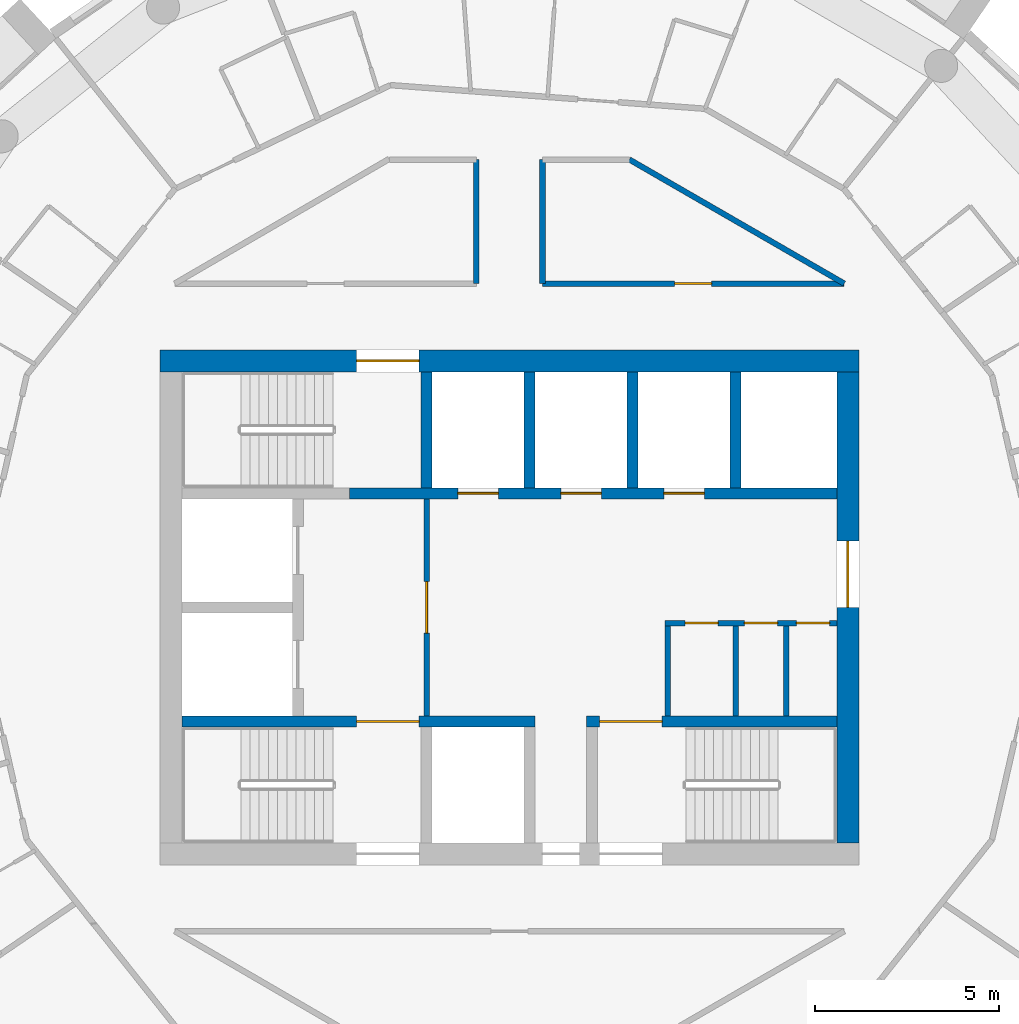
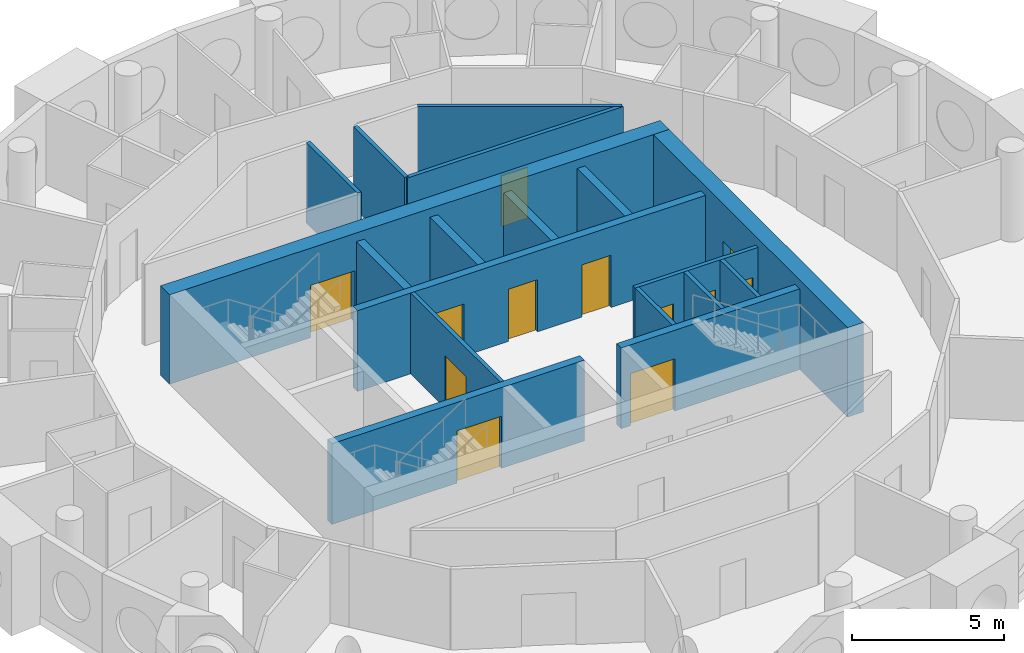
# One storey, part 7 of 12: 18 walls, 12 doors, 12 openings.
"""IFC4 building model written with IfcOpenShell, lengths in metres."""

from ifc_helpers import new_model, si_unit, direction, frame, frame_2d, origin, place, context, subcontext, project, spatial, rectangle, extrude, material, layer, layer_set, type_object, element, fill, save


model = new_model("IFC4")

# Units and contexts
model_context = context("Model", 3, precision=1e-05, world=origin(), true_north=direction((0.0, 1.0)))
body_context = subcontext(model_context, "Body", "Model", "MODEL_VIEW")
ifc_project = project(units=[si_unit("LENGTHUNIT", "METRE"), si_unit("AREAUNIT", "SQUARE_METRE"), si_unit("VOLUMEUNIT", "CUBIC_METRE"), si_unit("PLANEANGLEUNIT", "RADIAN"), si_unit("MASSUNIT", "GRAM", prefix="KILO")], contexts=[model_context])

# Site, building, storey
site_placement = place(None, origin())
site = spatial("IfcSite", under=ifc_project, at=site_placement, CompositionType="ELEMENT")
building_placement = place(site_placement, origin())
building = spatial("IfcBuilding", under=site, at=building_placement, Name="Tracery Tower", CompositionType="ELEMENT")
storey_placement = place(building_placement, frame((0.0, 0.0, 312.60009765625)))
storey = spatial("IfcBuildingStorey", under=building, at=storey_placement, Name="L81", CompositionType="ELEMENT", Elevation=312.60009765625)

# Wall, opening, door
ifc_material_1 = material(Name="Plasterboard on steel studs", Category="steel")
ifc_layer_1 = layer(ifc_material_1, 0.14990234375)
ifc_layer_set_1 = layer_set([ifc_layer_1], Name="Core lobby partition 150")
wall_type_1 = type_object("IfcWallType", Name="Core lobby partition 150", PredefinedType="SOLIDWALL", material=ifc_layer_set_1)
wall_1_placement = place(storey_placement, frame((-2.25, -2.949951171875, 0.0), z_axis=(0.0, 0.0, 1.0), x_axis=(0.0, 1.0, 0.0)))
wall_1 = element("IfcWall", 1, at=wall_1_placement, inside=storey, type_object=wall_type_1, Name="L81 FF lobby E", PredefinedType="SOLIDWALL", context=body_context, shape_type="SweptSolid", body=[
    extrude(rectangle(XDim=5.89990234375, YDim=0.14990234375, at=frame_2d((2.949951171875, 0.0))), origin(), (0.0, 0.0, 1.0), 3.25),
])
opening_1_placement = place(wall_1_placement, frame((2.25, 0.0, 0.0)))
opening_1 = element("IfcOpeningElement", 2, at=opening_1_placement, cuts=wall_1, Name="Opening KD8", PredefinedType="OPENING", context=body_context, shape_type="SweptSolid", body=[
    extrude(rectangle(XDim=1.39990234375, YDim=2.10009765625, at=frame_2d((0.699951171875, 1.050048828125))), frame((0.0, 0.074951171875, 0.0), z_axis=(0.0, -1.0, 0.0), x_axis=(1.0, 0.0, 0.0)), (0.0, 0.0, 1.0), 0.14990234375),
])
ifc_material_2 = material(Name="Steel fire door", Category="steel")
door_type_1 = type_object("IfcDoorType", Name="Core lobby door 1400 double", OperationType="NOTDEFINED", PredefinedType="DOOR", material=ifc_material_2)
door_1_placement = place(opening_1_placement, origin())
door_1 = element("IfcDoor", 3, at=door_1_placement, inside=storey, type_object=door_type_1, Name="Fire-fighting lobby door", OperationType="DOUBLE_DOOR_SINGLE_SWING", OverallHeight=2.10009765625, OverallWidth=1.39990234375, PredefinedType="DOOR", context=body_context, shape_type="SweptSolid", body=[
    extrude(rectangle(XDim=1.39990234375, YDim=2.10009765625, at=frame_2d((0.699951171875, 1.050048828125))), frame((0.0, 0.02490234375, 0.0), z_axis=(0.0, -1.0, 0.0), x_axis=(1.0, 0.0, 0.0)), (0.0, 0.0, 1.0), 0.050048828125),
])
fill(opening_1, door_1)

# Wall
ifc_material_3 = material(Name="Plasterboard on steel studs", Category="steel")
ifc_layer_2 = layer(ifc_material_3, 0.14990234375)
ifc_layer_set_2 = layer_set([ifc_layer_2], Name="Core room partition 150")
wall_type_2 = type_object("IfcWallType", Name="Core room partition 150", PredefinedType="SOLIDWALL", material=ifc_layer_set_2)
wall_2_placement = place(storey_placement, frame((4.300048828125, -2.949951171875, 0.0), z_axis=(0.0, 0.0, 1.0), x_axis=(0.0, 1.0, 0.0)))
element("IfcWall", 4, at=wall_2_placement, inside=storey, type_object=wall_type_2, Name="L81 slot W", PredefinedType="SOLIDWALL", context=body_context, shape_type="SweptSolid", body=[
    extrude(rectangle(XDim=2.449951171875, YDim=0.14990234375, at=frame_2d((1.22509765625, 0.0))), origin(), (0.0, 0.0, 1.0), 3.25),
])

# Wall, openings, doors
wall_3_placement = place(storey_placement, frame((4.22509765625, -0.425048828125, 0.0), z_axis=(0.0, 0.0, 1.0), x_axis=(1.0, 0.0, 0.0)))
wall_3 = element("IfcWall", 5, at=wall_3_placement, inside=storey, type_object=wall_type_2, Name="L81 slot N", PredefinedType="SOLIDWALL", context=body_context, shape_type="SweptSolid", body=[
    extrude(rectangle(XDim=4.6748046875, YDim=0.14990234375, at=frame_2d((2.33740234375, 0.0))), origin(), (0.0, 0.0, 1.0), 3.25),
])
opening_2_placement = place(wall_3_placement, frame((0.550048828125, 0.0, 0.0)))
opening_2 = element("IfcOpeningElement", 6, at=opening_2_placement, cuts=wall_3, Name="Opening KD22", PredefinedType="OPENING", context=body_context, shape_type="SweptSolid", body=[
    extrude(rectangle(XDim=0.89990234375, YDim=2.10009765625, at=frame_2d((0.449951171875, 1.050048828125))), frame((0.0, 0.074951171875, 0.0), z_axis=(0.0, -1.0, 0.0), x_axis=(1.0, 0.0, 0.0)), (0.0, 0.0, 1.0), 0.14990234375),
])
opening_3_placement = place(wall_3_placement, frame((2.16259765625, 0.0, 0.0)))
opening_3 = element("IfcOpeningElement", 7, at=opening_3_placement, cuts=wall_3, Name="Opening KD26", PredefinedType="OPENING", context=body_context, shape_type="SweptSolid", body=[
    extrude(rectangle(XDim=0.89990234375, YDim=2.10009765625, at=frame_2d((0.449951171875, 1.050048828125))), frame((0.0, 0.074951171875, 0.0), z_axis=(0.0, -1.0, 0.0), x_axis=(1.0, 0.0, 0.0)), (0.0, 0.0, 1.0), 0.14990234375),
])
opening_4_placement = place(wall_3_placement, frame((3.574951171875, 0.0, 0.0)))
opening_4 = element("IfcOpeningElement", 8, at=opening_4_placement, cuts=wall_3, Name="Opening KD27", PredefinedType="OPENING", context=body_context, shape_type="SweptSolid", body=[
    extrude(rectangle(XDim=0.89990234375, YDim=2.10009765625, at=frame_2d((0.449951171875, 1.050048828125))), frame((0.0, 0.074951171875, 0.0), z_axis=(0.0, -1.0, 0.0), x_axis=(1.0, 0.0, 0.0)), (0.0, 0.0, 1.0), 0.14990234375),
])
ifc_material_4 = material(Name="Timber door leaf", Category="wood")
door_type_2 = type_object("IfcDoorType", Name="Core WC door 900", OperationType="NOTDEFINED", PredefinedType="DOOR", material=ifc_material_4)
door_2_placement = place(opening_2_placement, origin())
door_2 = element("IfcDoor", 9, at=door_2_placement, inside=storey, type_object=door_type_2, Name="Core door", OperationType="SINGLE_SWING_RIGHT", OverallHeight=2.10009765625, OverallWidth=0.89990234375, PredefinedType="DOOR", context=body_context, shape_type="SweptSolid", body=[
    extrude(rectangle(XDim=0.89990234375, YDim=2.10009765625, at=frame_2d((0.449951171875, 1.050048828125))), frame((0.0, 0.02490234375, 0.0), z_axis=(0.0, -1.0, 0.0), x_axis=(1.0, 0.0, 0.0)), (0.0, 0.0, 1.0), 0.050048828125),
])
fill(opening_2, door_2)
ifc_material_5 = material(Name="Timber door leaf", Category="wood")
door_type_3 = type_object("IfcDoorType", Name="Core store door 900", OperationType="NOTDEFINED", PredefinedType="DOOR", material=ifc_material_5)
door_3_placement = place(opening_3_placement, origin())
door_3 = element("IfcDoor", 10, at=door_3_placement, inside=storey, type_object=door_type_3, Name="Core door", OperationType="SINGLE_SWING_LEFT", OverallHeight=2.10009765625, OverallWidth=0.89990234375, PredefinedType="DOOR", context=body_context, shape_type="SweptSolid", body=[
    extrude(rectangle(XDim=0.89990234375, YDim=2.10009765625, at=frame_2d((0.449951171875, 1.050048828125))), frame((0.0, 0.02490234375, 0.0), z_axis=(0.0, -1.0, 0.0), x_axis=(1.0, 0.0, 0.0)), (0.0, 0.0, 1.0), 0.050048828125),
])
fill(opening_3, door_3)
door_4_placement = place(opening_4_placement, origin())
door_4 = element("IfcDoor", 11, at=door_4_placement, inside=storey, type_object=door_type_3, Name="Core door", OperationType="SINGLE_SWING_RIGHT", OverallHeight=2.10009765625, OverallWidth=0.89990234375, PredefinedType="DOOR", context=body_context, shape_type="SweptSolid", body=[
    extrude(rectangle(XDim=0.89990234375, YDim=2.10009765625, at=frame_2d((0.449951171875, 1.050048828125))), frame((0.0, 0.02490234375, 0.0), z_axis=(0.0, -1.0, 0.0), x_axis=(1.0, 0.0, 0.0)), (0.0, 0.0, 1.0), 0.050048828125),
])
fill(opening_4, door_4)

# Walls
for number, where, z_axis, x_axis, name in (
    (12, (6.14990234375, -2.949951171875, 0.0), (0.0, 0.0, 1.0), (0.0, 1.0, 0.0), "L81 slot sep 1"),
    (13, (7.52490234375, -2.949951171875, 0.0), (0.0, 0.0, 1.0), (0.0, 1.0, 0.0), "L81 slot sep 2"),
):
    element("IfcWall", number, at=place(storey_placement, frame(where, z_axis=z_axis, x_axis=x_axis)), inside=storey, type_object=wall_type_2, Name=name, PredefinedType="SOLIDWALL", context=body_context, shape_type="SweptSolid", body=[
        extrude(rectangle(XDim=2.449951171875, YDim=0.14990234375, at=frame_2d((1.22509765625, 0.0))), origin(), (0.0, 0.0, 1.0), 3.25),
    ])

# Wall, opening, door
ifc_material_6 = material(Name="Concrete C40/50", Category="concrete")
ifc_layer_3 = layer(ifc_material_6, 0.60009765625)
ifc_layer_set_3 = layer_set([ifc_layer_3], Name="Core wall 600 C40")
wall_type_3 = type_object("IfcWallType", Name="Core wall 600 C40", PredefinedType="SOLIDWALL", material=ifc_layer_set_3)
wall_4_placement = place(storey_placement, frame((-9.5, 6.699951171875, 0.0), z_axis=(0.0, 0.0, 1.0), x_axis=(1.0, 0.0, 0.0)))
wall_4 = element("IfcWall", 14, at=wall_4_placement, inside=storey, type_object=wall_type_3, Name="L81 outer N", PredefinedType="SOLIDWALL", context=body_context, shape_type="SweptSolid", body=[
    extrude(rectangle(XDim=19.0, YDim=0.60009765625, at=frame_2d((9.5, 0.0))), origin(), (0.0, 0.0, 1.0), 3.599853515625),
])
opening_5_placement = place(wall_4_placement, frame((5.35009765625, 0.0, 0.0)))
opening_5 = element("IfcOpeningElement", 15, at=opening_5_placement, cuts=wall_4, Name="Opening KD3", PredefinedType="OPENING", context=body_context, shape_type="SweptSolid", body=[
    extrude(rectangle(XDim=1.699951171875, YDim=2.10009765625, at=frame_2d((0.85009765625, 1.050048828125))), frame((0.0, 0.300048828125, 0.0), z_axis=(0.0, -1.0, 0.0), x_axis=(1.0, 0.0, 0.0)), (0.0, 0.0, 1.0), 0.60009765625),
])
ifc_material_7 = material(Name="Steel fire door", Category="steel")
door_type_4 = type_object("IfcDoorType", Name="Core stair door 1700 double", OperationType="NOTDEFINED", PredefinedType="DOOR", material=ifc_material_7)
door_5_placement = place(opening_5_placement, origin())
door_5 = element("IfcDoor", 16, at=door_5_placement, inside=storey, type_object=door_type_4, Name="Stair door ST3 exit", OperationType="DOUBLE_DOOR_SINGLE_SWING", OverallHeight=2.10009765625, OverallWidth=1.699951171875, PredefinedType="DOOR", context=body_context, shape_type="SweptSolid", body=[
    extrude(rectangle(XDim=1.699951171875, YDim=2.10009765625, at=frame_2d((0.85009765625, 1.050048828125))), frame((0.0, 0.02490234375, 0.0), z_axis=(0.0, -1.0, 0.0), x_axis=(1.0, 0.0, 0.0)), (0.0, 0.0, 1.0), 0.050048828125),
])
fill(opening_5, door_5)

wall_5_placement = place(storey_placement, frame((9.199951171875, -6.39990234375, 0.0), z_axis=(0.0, 0.0, 1.0), x_axis=(0.0, 1.0, 0.0)))
wall_5 = element("IfcWall", 17, at=wall_5_placement, inside=storey, type_object=wall_type_3, Name="L81 outer E", PredefinedType="SOLIDWALL", context=body_context, shape_type="SweptSolid", body=[
    extrude(rectangle(XDim=12.7998046875, YDim=0.60009765625, at=frame_2d((6.39990234375, 0.0))), origin(), (0.0, 0.0, 1.0), 3.599853515625),
])
opening_6_placement = place(wall_5_placement, frame((6.39990234375, 0.0, 0.0)))
opening_6 = element("IfcOpeningElement", 18, at=opening_6_placement, cuts=wall_5, Name="Opening KD13", PredefinedType="OPENING", context=body_context, shape_type="SweptSolid", body=[
    extrude(rectangle(XDim=1.800048828125, YDim=2.10009765625, at=frame_2d((0.89990234375, 1.050048828125))), frame((0.0, 0.300048828125, 0.0), z_axis=(0.0, -1.0, 0.0), x_axis=(1.0, 0.0, 0.0)), (0.0, 0.0, 1.0), 0.60009765625),
])
ifc_material_8 = material(Name="Steel fire door", Category="steel")
door_type_5 = type_object("IfcDoorType", Name="Core exit door 1800 double", OperationType="NOTDEFINED", PredefinedType="DOOR", material=ifc_material_8)
door_6_placement = place(opening_6_placement, origin())
door_6 = element("IfcDoor", 19, at=door_6_placement, inside=storey, type_object=door_type_5, Name="Core exit door", OperationType="DOUBLE_DOOR_SINGLE_SWING", OverallHeight=2.10009765625, OverallWidth=1.800048828125, PredefinedType="DOOR", context=body_context, shape_type="SweptSolid", body=[
    extrude(rectangle(XDim=1.800048828125, YDim=2.10009765625, at=frame_2d((0.89990234375, 1.050048828125))), frame((0.0, 0.02490234375, 0.0), z_axis=(0.0, -1.0, 0.0), x_axis=(1.0, 0.0, 0.0)), (0.0, 0.0, 1.0), 0.050048828125),
])
fill(opening_6, door_6)

ifc_material_9 = material(Name="Plasterboard on steel studs", Category="steel")
ifc_layer_4 = layer(ifc_material_9, 0.14990234375)
ifc_layer_set_4 = layer_set([ifc_layer_4], Name="Partition 150 corridor wall")
wall_type_4 = type_object("IfcWallType", Name="Partition 150 corridor wall", PredefinedType="PARTITIONING", material=ifc_layer_set_4)
wall_6_placement = place(storey_placement, frame((0.89599609375, 8.800048828125, 0.0), z_axis=(0.0, 0.0, 1.0), x_axis=(1.0, 0.0, 0.0)))
wall_6 = element("IfcWall", 20, at=wall_6_placement, inside=storey, type_object=wall_type_4, Name="Corridor wall RC8-003", PredefinedType="PARTITIONING", context=body_context, shape_type="SweptSolid", body=[
    extrude(rectangle(XDim=8.20458984375, YDim=0.14990234375, at=frame_2d((4.102294921875, 0.0))), origin(), (0.0, 0.0, 1.0), 3.25),
])
opening_7_placement = place(wall_6_placement, frame((3.597900390625, 0.0, 0.0)))
opening_7 = element("IfcOpeningElement", 21, at=opening_7_placement, cuts=wall_6, Name="Opening RC8-02", PredefinedType="OPENING", context=body_context, shape_type="SweptSolid", body=[
    extrude(rectangle(XDim=1.0, YDim=2.0400390625, at=frame_2d((0.5, 1.02001953125))), frame((0.0, 0.074951171875, 0.0), z_axis=(0.0, -1.0, 0.0), x_axis=(1.0, 0.0, 0.0)), (0.0, 0.0, 1.0), 0.14990234375),
])
ifc_material_10 = material(Name="Timber door leaf", Category="wood")
door_type_6 = type_object("IfcDoorType", Name="Door communal room 1000", OperationType="NOTDEFINED", PredefinedType="DOOR", material=ifc_material_10)
door_7_placement = place(opening_7_placement, origin())
door_7 = element("IfcDoor", 22, at=door_7_placement, inside=storey, type_object=door_type_6, Name="Communal room door RC8-02", OperationType="SINGLE_SWING_RIGHT", OverallHeight=2.0400390625, OverallWidth=1.0, PredefinedType="DOOR", context=body_context, shape_type="SweptSolid", body=[
    extrude(rectangle(XDim=1.0, YDim=2.0400390625, at=frame_2d((0.5, 1.02001953125))), frame((0.0, 0.02490234375, 0.0), z_axis=(0.0, -1.0, 0.0), x_axis=(1.0, 0.0, 0.0)), (0.0, 0.0, 1.0), 0.050048828125),
])
fill(opening_7, door_7)

# Walls
wall_7_placement = place(storey_placement, frame((-0.89990234375, 8.800048828125, 0.0), z_axis=(0.0, 0.0, 1.0), x_axis=(0.0, 1.0, 0.0)))
element("IfcWall", 23, at=wall_7_placement, inside=storey, type_object=wall_type_4, Name="Corridor wall RC8-025", PredefinedType="PARTITIONING", context=body_context, shape_type="SweptSolid", body=[
    extrude(rectangle(XDim=3.370849609375, YDim=0.14990234375, at=frame_2d((1.685546875, 0.0))), origin(), (0.0, 0.0, 1.0), 3.25),
])
wall_8_placement = place(storey_placement, frame((3.260986328125, 12.1708984375, 0.0), z_axis=(0.0, 0.0, 1.0), x_axis=(0.866066809554, -0.499928276245, 0.0)))
element("IfcWall", 24, at=wall_8_placement, inside=storey, type_object=wall_type_4, Name="Corridor wall RC8-027", PredefinedType="PARTITIONING", context=body_context, shape_type="SweptSolid", body=[
    extrude(rectangle(XDim=6.74267578125, YDim=0.14990234375, at=frame_2d((3.371337890625, 0.0))), origin(), (0.0, 0.0, 1.0), 3.25),
])
wall_9_placement = place(storey_placement, frame((0.89990234375, 8.800048828125, 0.0), z_axis=(0.0, 0.0, 1.0), x_axis=(0.0, 1.0, 0.0)))
element("IfcWall", 25, at=wall_9_placement, inside=storey, type_object=wall_type_4, Name="Corridor wall RC8-029", PredefinedType="PARTITIONING", context=body_context, shape_type="SweptSolid", body=[
    extrude(rectangle(XDim=3.370849609375, YDim=0.14990234375, at=frame_2d((1.685546875, 0.0))), origin(), (0.0, 0.0, 1.0), 3.25),
])
ifc_material_11 = material(Name="Concrete C40/50", Category="concrete")
ifc_layer_5 = layer(ifc_material_11, 0.300048828125)
ifc_layer_set_5 = layer_set([ifc_layer_5], Name="Shaft wall 300 C40")
wall_type_5 = type_object("IfcWallType", Name="Shaft wall 300 C40", PredefinedType="SOLIDWALL", material=ifc_layer_set_5)
for number, where, z_axis, x_axis, name in (
    (26, (0.550048828125, 3.25, 0.0), (0.0, 0.0, 1.0), (0.0, 1.0, 0.0), "L81 HR sep 1"),
    (27, (3.35009765625, 3.25, 0.0), (0.0, 0.0, 1.0), (0.0, 1.0, 0.0), "L81 HR sep 2"),
    (28, (6.14990234375, 3.25, 0.0), (0.0, 0.0, 1.0), (0.0, 1.0, 0.0), "L81 HR sep 3"),
):
    element("IfcWall", number, at=place(storey_placement, frame(where, z_axis=z_axis, x_axis=x_axis)), inside=storey, type_object=wall_type_5, Name=name, PredefinedType="SOLIDWALL", context=body_context, shape_type="SweptSolid", body=[
        extrude(rectangle(XDim=3.14990234375, YDim=0.300048828125, at=frame_2d((1.574951171875, 0.0))), origin(), (0.0, 0.0, 1.0), 3.25),
    ])

# Wall, opening, door
ifc_material_12 = material(Name="Concrete C40/50", Category="concrete")
ifc_layer_6 = layer(ifc_material_12, 0.300048828125)
ifc_layer_set_6 = layer_set([ifc_layer_6], Name="Stair wall 300 C40")
wall_type_6 = type_object("IfcWallType", Name="Stair wall 300 C40", PredefinedType="SOLIDWALL", material=ifc_layer_set_6)
wall_10_placement = place(storey_placement, frame((-8.89990234375, -3.10009765625, 0.0), z_axis=(0.0, 0.0, 1.0), x_axis=(1.0, 0.0, 0.0)))
wall_10 = element("IfcWall", 29, at=wall_10_placement, inside=storey, type_object=wall_type_6, Name="L81 row S", PredefinedType="SOLIDWALL", context=body_context, shape_type="SweptSolid", body=[
    extrude(rectangle(XDim=9.599853515625, YDim=0.300048828125, at=frame_2d((4.7998046875, 0.0))), origin(), (0.0, 0.0, 1.0), 3.25),
])
opening_8_placement = place(wall_10_placement, frame((4.75, 0.0, 0.0)))
opening_8 = element("IfcOpeningElement", 30, at=opening_8_placement, cuts=wall_10, Name="Opening KD3", PredefinedType="OPENING", context=body_context, shape_type="SweptSolid", body=[
    extrude(rectangle(XDim=1.699951171875, YDim=2.10009765625, at=frame_2d((0.85009765625, 1.050048828125))), frame((0.0, 0.14990234375, 0.0), z_axis=(0.0, -1.0, 0.0), x_axis=(1.0, 0.0, 0.0)), (0.0, 0.0, 1.0), 0.300048828125),
])
door_8_placement = place(opening_8_placement, origin())
door_8 = element("IfcDoor", 31, at=door_8_placement, inside=storey, type_object=door_type_4, Name="Stair door ST1", OperationType="DOUBLE_DOOR_SINGLE_SWING", OverallHeight=2.10009765625, OverallWidth=1.699951171875, PredefinedType="DOOR", context=body_context, shape_type="SweptSolid", body=[
    extrude(rectangle(XDim=1.699951171875, YDim=2.10009765625, at=frame_2d((0.85009765625, 1.050048828125))), frame((0.0, 0.02490234375, 0.0), z_axis=(0.0, -1.0, 0.0), x_axis=(1.0, 0.0, 0.0)), (0.0, 0.0, 1.0), 0.050048828125),
])
fill(opening_8, door_8)

wall_11_placement = place(storey_placement, frame((2.10009765625, -3.10009765625, 0.0), z_axis=(0.0, 0.0, 1.0), x_axis=(1.0, 0.0, 0.0)))
wall_11 = element("IfcWall", 32, at=wall_11_placement, inside=storey, type_object=wall_type_6, Name="L81 row S E", PredefinedType="SOLIDWALL", context=body_context, shape_type="SweptSolid", body=[
    extrude(rectangle(XDim=6.7998046875, YDim=0.300048828125, at=frame_2d((3.39990234375, 0.0))), origin(), (0.0, 0.0, 1.0), 3.25),
])
opening_9_placement = place(wall_11_placement, frame((0.35009765625, 0.0, 0.0)))
opening_9 = element("IfcOpeningElement", 33, at=opening_9_placement, cuts=wall_11, Name="Opening KD3", PredefinedType="OPENING", context=body_context, shape_type="SweptSolid", body=[
    extrude(rectangle(XDim=1.699951171875, YDim=2.10009765625, at=frame_2d((0.85009765625, 1.050048828125))), frame((0.0, 0.14990234375, 0.0), z_axis=(0.0, -1.0, 0.0), x_axis=(1.0, 0.0, 0.0)), (0.0, 0.0, 1.0), 0.300048828125),
])
door_9_placement = place(opening_9_placement, origin())
door_9 = element("IfcDoor", 34, at=door_9_placement, inside=storey, type_object=door_type_4, Name="Stair door ST2", OperationType="DOUBLE_DOOR_SINGLE_SWING", OverallHeight=2.10009765625, OverallWidth=1.699951171875, PredefinedType="DOOR", context=body_context, shape_type="SweptSolid", body=[
    extrude(rectangle(XDim=1.699951171875, YDim=2.10009765625, at=frame_2d((0.85009765625, 1.050048828125))), frame((0.0, 0.02490234375, 0.0), z_axis=(0.0, -1.0, 0.0), x_axis=(1.0, 0.0, 0.0)), (0.0, 0.0, 1.0), 0.050048828125),
])
fill(opening_9, door_9)

# Wall, openings, doors
wall_12_placement = place(storey_placement, frame((-4.35009765625, 3.10009765625, 0.0), z_axis=(0.0, 0.0, 1.0), x_axis=(1.0, 0.0, 0.0)))
wall_12 = element("IfcWall", 35, at=wall_12_placement, inside=storey, type_object=wall_type_6, Name="L81 row N", PredefinedType="SOLIDWALL", context=body_context, shape_type="SweptSolid", body=[
    extrude(rectangle(XDim=13.25, YDim=0.300048828125, at=frame_2d((6.625, 0.0))), origin(), (0.0, 0.0, 1.0), 3.25),
])
opening_10_placement = place(wall_12_placement, frame((2.949951171875, 0.0, 0.0)))
opening_10 = element("IfcOpeningElement", 36, at=opening_10_placement, cuts=wall_12, Name="Opening KD49", PredefinedType="OPENING", context=body_context, shape_type="SweptSolid", body=[
    extrude(rectangle(XDim=1.10009765625, YDim=2.10009765625, at=frame_2d((0.550048828125, 1.050048828125))), frame((0.0, 0.14990234375, 0.0), z_axis=(0.0, -1.0, 0.0), x_axis=(1.0, 0.0, 0.0)), (0.0, 0.0, 1.0), 0.300048828125),
])
opening_11_placement = place(wall_12_placement, frame((5.75, 0.0, 0.0)))
opening_11 = element("IfcOpeningElement", 37, at=opening_11_placement, cuts=wall_12, Name="Opening KD50", PredefinedType="OPENING", context=body_context, shape_type="SweptSolid", body=[
    extrude(rectangle(XDim=1.10009765625, YDim=2.10009765625, at=frame_2d((0.550048828125, 1.050048828125))), frame((0.0, 0.14990234375, 0.0), z_axis=(0.0, -1.0, 0.0), x_axis=(1.0, 0.0, 0.0)), (0.0, 0.0, 1.0), 0.300048828125),
])
opening_12_placement = place(wall_12_placement, frame((8.550048828125, 0.0, 0.0)))
opening_12 = element("IfcOpeningElement", 38, at=opening_12_placement, cuts=wall_12, Name="Opening KD49", PredefinedType="OPENING", context=body_context, shape_type="SweptSolid", body=[
    extrude(rectangle(XDim=1.10009765625, YDim=2.10009765625, at=frame_2d((0.550048828125, 1.050048828125))), frame((0.0, 0.14990234375, 0.0), z_axis=(0.0, -1.0, 0.0), x_axis=(1.0, 0.0, 0.0)), (0.0, 0.0, 1.0), 0.300048828125),
])
ifc_material_13 = material(Name="Steel fire door", Category="steel")
door_type_7 = type_object("IfcDoorType", Name="Landing door 1100", OperationType="NOTDEFINED", PredefinedType="DOOR", material=ifc_material_13)
door_10_placement = place(opening_10_placement, origin())
door_10 = element("IfcDoor", 39, at=door_10_placement, inside=storey, type_object=door_type_7, Name="Landing door HR1", OperationType="SLIDING_TO_LEFT", OverallHeight=2.10009765625, OverallWidth=1.10009765625, PredefinedType="DOOR", context=body_context, shape_type="SweptSolid", body=[
    extrude(rectangle(XDim=1.10009765625, YDim=2.10009765625, at=frame_2d((0.550048828125, 1.050048828125))), frame((0.0, 0.02490234375, 0.0), z_axis=(0.0, -1.0, 0.0), x_axis=(1.0, 0.0, 0.0)), (0.0, 0.0, 1.0), 0.050048828125),
])
fill(opening_10, door_10)
door_11_placement = place(opening_11_placement, origin())
door_11 = element("IfcDoor", 40, at=door_11_placement, inside=storey, type_object=door_type_7, Name="Landing door HR2", OperationType="SLIDING_TO_RIGHT", OverallHeight=2.10009765625, OverallWidth=1.10009765625, PredefinedType="DOOR", context=body_context, shape_type="SweptSolid", body=[
    extrude(rectangle(XDim=1.10009765625, YDim=2.10009765625, at=frame_2d((0.550048828125, 1.050048828125))), frame((0.0, 0.02490234375, 0.0), z_axis=(0.0, -1.0, 0.0), x_axis=(1.0, 0.0, 0.0)), (0.0, 0.0, 1.0), 0.050048828125),
])
fill(opening_11, door_11)
door_12_placement = place(opening_12_placement, origin())
door_12 = element("IfcDoor", 41, at=door_12_placement, inside=storey, type_object=door_type_7, Name="Landing door HR3", OperationType="SLIDING_TO_LEFT", OverallHeight=2.10009765625, OverallWidth=1.10009765625, PredefinedType="DOOR", context=body_context, shape_type="SweptSolid", body=[
    extrude(rectangle(XDim=1.10009765625, YDim=2.10009765625, at=frame_2d((0.550048828125, 1.050048828125))), frame((0.0, 0.02490234375, 0.0), z_axis=(0.0, -1.0, 0.0), x_axis=(1.0, 0.0, 0.0)), (0.0, 0.0, 1.0), 0.050048828125),
])
fill(opening_12, door_12)

# Wall
wall_13_placement = place(storey_placement, frame((-2.25, 3.25, 0.0), z_axis=(0.0, 0.0, 1.0), x_axis=(0.0, 1.0, 0.0)))
element("IfcWall", 42, at=wall_13_placement, inside=storey, type_object=wall_type_6, Name="L81 ST3 E", PredefinedType="SOLIDWALL", context=body_context, shape_type="SweptSolid", body=[
    extrude(rectangle(XDim=3.14990234375, YDim=0.300048828125, at=frame_2d((1.574951171875, 0.0))), origin(), (0.0, 0.0, 1.0), 3.25),
])

save(model, "model.ifc")
